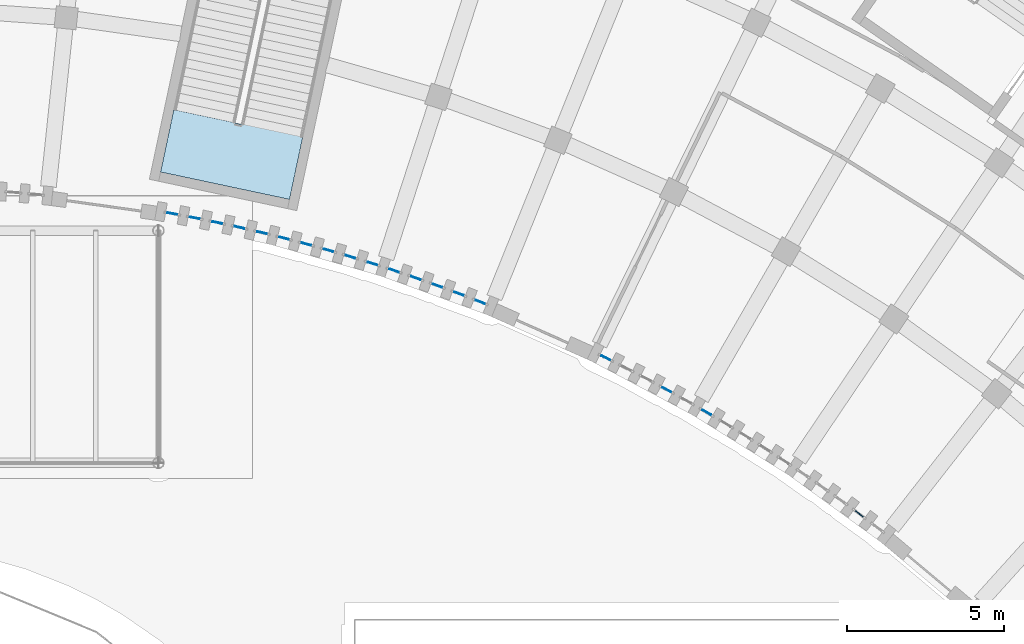
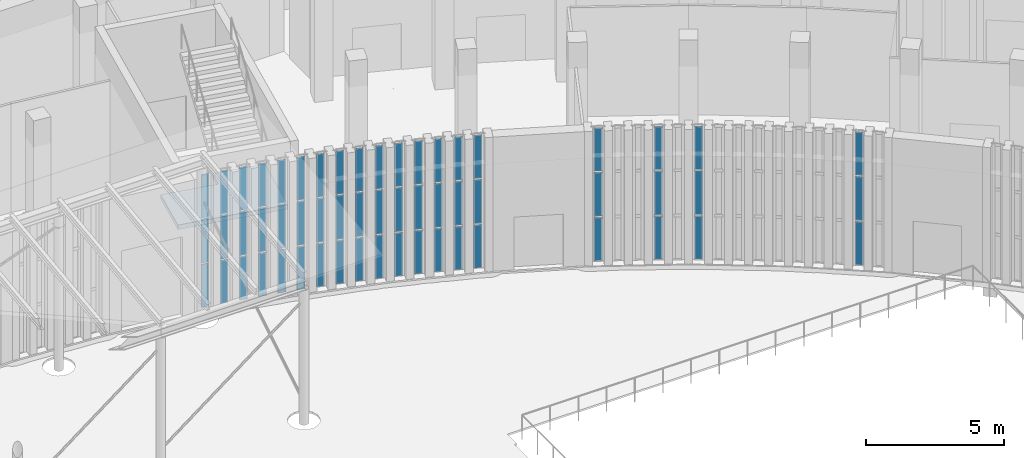
# One storey, part 80 of 155: 57 plates, 1 slab, 20 elements without a shape of their own.
"""IFC4 building model written with IfcOpenShell, lengths in metres."""

from ifc_helpers import new_model, si_unit, direction, frame, origin, origin_2d, place, context, subcontext, project, spatial, polyline, rectangle, outline, extrude, material, layer, layer_set, type_object, element, aggregate, save


model = new_model("IFC4")

# Units and contexts
model_context = context("Model", 3, precision=1e-05, world=origin(), true_north=direction((0.0, 1.0)))
body_context = subcontext(model_context, "Body", "Model", "MODEL_VIEW")
ifc_project = project(units=[si_unit("LENGTHUNIT", "METRE"), si_unit("AREAUNIT", "SQUARE_METRE"), si_unit("VOLUMEUNIT", "CUBIC_METRE"), si_unit("PLANEANGLEUNIT", "RADIAN"), si_unit("MASSUNIT", "GRAM", prefix="KILO")], contexts=[model_context])

# Site, building, storey
site_placement = place(None, origin())
site = spatial("IfcSite", under=ifc_project, at=site_placement, CompositionType="ELEMENT")
building_placement = place(site_placement, origin())
building = spatial("IfcBuilding", under=site, at=building_placement, Name="Lunette Opera House", CompositionType="ELEMENT")
storey_placement = place(building_placement, origin())
storey = spatial("IfcBuildingStorey", under=building, at=storey_placement, Name="L00", CompositionType="ELEMENT", Elevation=0.0)

# Curtain wall, plates
ifc_material_1 = material(Name="Aluminium", Category="aluminium")
ifc_layer_1 = layer(ifc_material_1, 0.1201171875)
ifc_layer_set_1 = layer_set([ifc_layer_1], Name="Aluminium")
curtain_wall_type = type_object("IfcCurtainWallType", Name="SLOT CURTAIN WALL", PredefinedType="NOTDEFINED", material=ifc_layer_set_1)
curtain_wall_1_placement = place(storey_placement, origin())
curtain_wall_1 = element("IfcCurtainWall", 1, at=curtain_wall_1_placement, inside=storey, type_object=curtain_wall_type, Name="Slot Curtain Wall CS046 L00", PredefinedType="NOTDEFINED")
ifc_material_2 = material(Name="Laminated glass", Category="glass")
ifc_layer_2 = layer(ifc_material_2, 0.028076171875)
ifc_layer_set_2 = layer_set([ifc_layer_2], Name="Laminated glass")
plate_type = type_object("IfcPlateType", Name="CURTAIN PANEL LAMINATED GLASS 28", PredefinedType="CURTAIN_PANEL", material=ifc_layer_set_2)
plate_1_placement = place(storey_placement, frame((105.44091796875, 51.4404296875, 0.06005859375), z_axis=(0.0, 0.0, 1.0), x_axis=(0.983907017475, -0.178681227225, 0.0)))
plate_1 = element("IfcPlate", 2, at=plate_1_placement, type_object=plate_type, Name="FC-X2091 panel 1.1", PredefinedType="CURTAIN_PANEL", context=body_context, shape_type="SweptSolid", body=[
    extrude(rectangle(XDim=0.31103515625, YDim=0.028076171875, at=origin_2d()), origin(), (0.0, 0.0, 1.0), 1.909912109375),
])
plate_2_placement = place(storey_placement, frame((105.44091796875, 51.4404296875, 2.030029296875), z_axis=(0.0, 0.0, 1.0), x_axis=(0.983907017475, -0.178681227225, 0.0)))
plate_2 = element("IfcPlate", 3, at=plate_2_placement, type_object=plate_type, Name="FC-X2091 panel 1.2", PredefinedType="CURTAIN_PANEL", context=body_context, shape_type="SweptSolid", body=[
    extrude(rectangle(XDim=0.31103515625, YDim=0.028076171875, at=origin_2d()), origin(), (0.0, 0.0, 1.0), 1.93994140625),
])
plate_3_placement = place(storey_placement, frame((105.44091796875, 51.4404296875, 4.0302734375), z_axis=(0.0, 0.0, 1.0), x_axis=(0.983907017475, -0.178681227225, 0.0)))
plate_3 = element("IfcPlate", 4, at=plate_3_placement, type_object=plate_type, Name="FC-X2091 panel 1.3", PredefinedType="CURTAIN_PANEL", context=body_context, shape_type="SweptSolid", body=[
    extrude(rectangle(XDim=0.31103515625, YDim=0.028076171875, at=origin_2d()), origin(), (0.0, 0.0, 1.0), 1.909912109375),
])
aggregate(curtain_wall_1, [plate_1, plate_2, plate_3])

curtain_wall_2_placement = place(storey_placement, origin())
curtain_wall_2 = element("IfcCurtainWall", 5, at=curtain_wall_2_placement, inside=storey, type_object=curtain_wall_type, Name="Slot Curtain Wall CS047 L00", PredefinedType="NOTDEFINED")
plate_4_placement = place(storey_placement, frame((106.157958984375, 51.303466796875, 0.06005859375), z_axis=(0.0, 0.0, 1.0), x_axis=(0.981201674814, -0.192985163529, 0.0)))
plate_4 = element("IfcPlate", 6, at=plate_4_placement, type_object=plate_type, Name="FC-X2093 panel 1.1", PredefinedType="CURTAIN_PANEL", context=body_context, shape_type="SweptSolid", body=[
    extrude(rectangle(XDim=0.31005859375, YDim=0.028076171875, at=origin_2d()), origin(), (0.0, 0.0, 1.0), 1.909912109375),
])
plate_5_placement = place(storey_placement, frame((106.157958984375, 51.303466796875, 2.030029296875), z_axis=(0.0, 0.0, 1.0), x_axis=(0.981201674814, -0.192985163529, 0.0)))
plate_5 = element("IfcPlate", 7, at=plate_5_placement, type_object=plate_type, Name="FC-X2093 panel 1.2", PredefinedType="CURTAIN_PANEL", context=body_context, shape_type="SweptSolid", body=[
    extrude(rectangle(XDim=0.31005859375, YDim=0.028076171875, at=origin_2d()), origin(), (0.0, 0.0, 1.0), 1.93994140625),
])
plate_6_placement = place(storey_placement, frame((106.157958984375, 51.303466796875, 4.0302734375), z_axis=(0.0, 0.0, 1.0), x_axis=(0.981201674814, -0.192985163529, 0.0)))
plate_6 = element("IfcPlate", 8, at=plate_6_placement, type_object=plate_type, Name="FC-X2093 panel 1.3", PredefinedType="CURTAIN_PANEL", context=body_context, shape_type="SweptSolid", body=[
    extrude(rectangle(XDim=0.31005859375, YDim=0.028076171875, at=origin_2d()), origin(), (0.0, 0.0, 1.0), 1.909912109375),
])
aggregate(curtain_wall_2, [plate_4, plate_5, plate_6])

curtain_wall_3_placement = place(storey_placement, origin())
curtain_wall_3 = element("IfcCurtainWall", 9, at=curtain_wall_3_placement, inside=storey, type_object=curtain_wall_type, Name="Slot Curtain Wall CS048 L00", PredefinedType="NOTDEFINED")
plate_7_placement = place(storey_placement, frame((106.87353515625, 51.156494140625, 0.06005859375), z_axis=(0.0, 0.0, 1.0), x_axis=(0.978376841558, -0.206830258672, 0.0)))
plate_7 = element("IfcPlate", 10, at=plate_7_placement, type_object=plate_type, Name="FC-X2095 panel 1.1", PredefinedType="CURTAIN_PANEL", context=body_context, shape_type="SweptSolid", body=[
    extrude(rectangle(XDim=0.310302734375, YDim=0.028076171875, at=origin_2d()), origin(), (0.0, 0.0, 1.0), 1.909912109375),
])
plate_8_placement = place(storey_placement, frame((106.87353515625, 51.156494140625, 2.030029296875), z_axis=(0.0, 0.0, 1.0), x_axis=(0.978376841558, -0.206830258672, 0.0)))
plate_8 = element("IfcPlate", 11, at=plate_8_placement, type_object=plate_type, Name="FC-X2095 panel 1.2", PredefinedType="CURTAIN_PANEL", context=body_context, shape_type="SweptSolid", body=[
    extrude(rectangle(XDim=0.310302734375, YDim=0.028076171875, at=origin_2d()), origin(), (0.0, 0.0, 1.0), 1.93994140625),
])
plate_9_placement = place(storey_placement, frame((106.87353515625, 51.156494140625, 4.0302734375), z_axis=(0.0, 0.0, 1.0), x_axis=(0.978376841558, -0.206830258672, 0.0)))
plate_9 = element("IfcPlate", 12, at=plate_9_placement, type_object=plate_type, Name="FC-X2095 panel 1.3", PredefinedType="CURTAIN_PANEL", context=body_context, shape_type="SweptSolid", body=[
    extrude(rectangle(XDim=0.310302734375, YDim=0.028076171875, at=origin_2d()), origin(), (0.0, 0.0, 1.0), 1.909912109375),
])
aggregate(curtain_wall_3, [plate_7, plate_8, plate_9])

curtain_wall_4_placement = place(storey_placement, origin())
curtain_wall_4 = element("IfcCurtainWall", 13, at=curtain_wall_4_placement, inside=storey, type_object=curtain_wall_type, Name="Slot Curtain Wall CS049 L00", PredefinedType="NOTDEFINED")
plate_10_placement = place(storey_placement, frame((107.5869140625, 51.0, 0.06005859375), z_axis=(0.0, 0.0, 1.0), x_axis=(0.97485850657, -0.222824801509, 0.0)))
plate_10 = element("IfcPlate", 14, at=plate_10_placement, type_object=plate_type, Name="FC-X2097 panel 1.1", PredefinedType="CURTAIN_PANEL", context=body_context, shape_type="SweptSolid", body=[
    extrude(rectangle(XDim=0.310791015625, YDim=0.028076171875, at=origin_2d()), origin(), (0.0, 0.0, 1.0), 1.909912109375),
])
plate_11_placement = place(storey_placement, frame((107.5869140625, 51.0, 2.030029296875), z_axis=(0.0, 0.0, 1.0), x_axis=(0.97485850657, -0.222824801509, 0.0)))
plate_11 = element("IfcPlate", 15, at=plate_11_placement, type_object=plate_type, Name="FC-X2097 panel 1.2", PredefinedType="CURTAIN_PANEL", context=body_context, shape_type="SweptSolid", body=[
    extrude(rectangle(XDim=0.310791015625, YDim=0.028076171875, at=origin_2d()), origin(), (0.0, 0.0, 1.0), 1.93994140625),
])
plate_12_placement = place(storey_placement, frame((107.5869140625, 51.0, 4.0302734375), z_axis=(0.0, 0.0, 1.0), x_axis=(0.97485850657, -0.222824801509, 0.0)))
plate_12 = element("IfcPlate", 16, at=plate_12_placement, type_object=plate_type, Name="FC-X2097 panel 1.3", PredefinedType="CURTAIN_PANEL", context=body_context, shape_type="SweptSolid", body=[
    extrude(rectangle(XDim=0.310791015625, YDim=0.028076171875, at=origin_2d()), origin(), (0.0, 0.0, 1.0), 1.909912109375),
])
aggregate(curtain_wall_4, [plate_10, plate_11, plate_12])

curtain_wall_5_placement = place(storey_placement, origin())
curtain_wall_5 = element("IfcCurtainWall", 17, at=curtain_wall_5_placement, inside=storey, type_object=curtain_wall_type, Name="Slot Curtain Wall CS050 L00", PredefinedType="NOTDEFINED")
plate_13_placement = place(storey_placement, frame((108.298095703125, 50.83349609375, 0.06005859375), z_axis=(0.0, 0.0, 1.0), x_axis=(0.972027312434, -0.234867843442, 0.0)))
plate_13 = element("IfcPlate", 18, at=plate_13_placement, type_object=plate_type, Name="FC-X2099 panel 1.1", PredefinedType="CURTAIN_PANEL", context=body_context, shape_type="SweptSolid", body=[
    extrude(rectangle(XDim=0.31005859375, YDim=0.028076171875, at=origin_2d()), origin(), (0.0, 0.0, 1.0), 1.909912109375),
])
plate_14_placement = place(storey_placement, frame((108.298095703125, 50.83349609375, 2.030029296875), z_axis=(0.0, 0.0, 1.0), x_axis=(0.972027312434, -0.234867843442, 0.0)))
plate_14 = element("IfcPlate", 19, at=plate_14_placement, type_object=plate_type, Name="FC-X2099 panel 1.2", PredefinedType="CURTAIN_PANEL", context=body_context, shape_type="SweptSolid", body=[
    extrude(rectangle(XDim=0.31005859375, YDim=0.028076171875, at=origin_2d()), origin(), (0.0, 0.0, 1.0), 1.93994140625),
])
plate_15_placement = place(storey_placement, frame((108.298095703125, 50.83349609375, 4.0302734375), z_axis=(0.0, 0.0, 1.0), x_axis=(0.972027312434, -0.234867843442, 0.0)))
plate_15 = element("IfcPlate", 20, at=plate_15_placement, type_object=plate_type, Name="FC-X2099 panel 1.3", PredefinedType="CURTAIN_PANEL", context=body_context, shape_type="SweptSolid", body=[
    extrude(rectangle(XDim=0.31005859375, YDim=0.028076171875, at=origin_2d()), origin(), (0.0, 0.0, 1.0), 1.909912109375),
])
aggregate(curtain_wall_5, [plate_13, plate_14, plate_15])

curtain_wall_6_placement = place(storey_placement, origin())
curtain_wall_6 = element("IfcCurtainWall", 21, at=curtain_wall_6_placement, inside=storey, type_object=curtain_wall_type, Name="Slot Curtain Wall CS051 L00", PredefinedType="NOTDEFINED")
plate_16_placement = place(storey_placement, frame((109.006591796875, 50.656494140625, 0.06005859375), z_axis=(0.0, 0.0, 1.0), x_axis=(0.968620862667, -0.248543003132, 0.0)))
plate_16 = element("IfcPlate", 22, at=plate_16_placement, type_object=plate_type, Name="FC-X2101 panel 1.1", PredefinedType="CURTAIN_PANEL", context=body_context, shape_type="SweptSolid", body=[
    extrude(rectangle(XDim=0.310546875, YDim=0.028076171875, at=origin_2d()), origin(), (0.0, 0.0, 1.0), 1.909912109375),
])
plate_17_placement = place(storey_placement, frame((109.006591796875, 50.656494140625, 2.030029296875), z_axis=(0.0, 0.0, 1.0), x_axis=(0.968620862667, -0.248543003132, 0.0)))
plate_17 = element("IfcPlate", 23, at=plate_17_placement, type_object=plate_type, Name="FC-X2101 panel 1.2", PredefinedType="CURTAIN_PANEL", context=body_context, shape_type="SweptSolid", body=[
    extrude(rectangle(XDim=0.310546875, YDim=0.028076171875, at=origin_2d()), origin(), (0.0, 0.0, 1.0), 1.93994140625),
])
plate_18_placement = place(storey_placement, frame((109.006591796875, 50.656494140625, 4.0302734375), z_axis=(0.0, 0.0, 1.0), x_axis=(0.968620862667, -0.248543003132, 0.0)))
plate_18 = element("IfcPlate", 24, at=plate_18_placement, type_object=plate_type, Name="FC-X2101 panel 1.3", PredefinedType="CURTAIN_PANEL", context=body_context, shape_type="SweptSolid", body=[
    extrude(rectangle(XDim=0.310546875, YDim=0.028076171875, at=origin_2d()), origin(), (0.0, 0.0, 1.0), 1.909912109375),
])
aggregate(curtain_wall_6, [plate_16, plate_17, plate_18])

curtain_wall_7_placement = place(storey_placement, origin())
curtain_wall_7 = element("IfcCurtainWall", 25, at=curtain_wall_7_placement, inside=storey, type_object=curtain_wall_type, Name="Slot Curtain Wall CS052 L00", PredefinedType="NOTDEFINED")
plate_19_placement = place(storey_placement, frame((109.71240234375, 50.469970703125, 0.06005859375), z_axis=(0.0, 0.0, 1.0), x_axis=(0.965458348983, -0.260557433934, 0.0)))
plate_19 = element("IfcPlate", 26, at=plate_19_placement, type_object=plate_type, Name="FC-X2103 panel 1.1", PredefinedType="CURTAIN_PANEL", context=body_context, shape_type="SweptSolid", body=[
    extrude(rectangle(XDim=0.309814453125, YDim=0.028076171875, at=origin_2d()), origin(), (0.0, 0.0, 1.0), 1.909912109375),
])
plate_20_placement = place(storey_placement, frame((109.71240234375, 50.469970703125, 2.030029296875), z_axis=(0.0, 0.0, 1.0), x_axis=(0.965458348983, -0.260557433934, 0.0)))
plate_20 = element("IfcPlate", 27, at=plate_20_placement, type_object=plate_type, Name="FC-X2103 panel 1.2", PredefinedType="CURTAIN_PANEL", context=body_context, shape_type="SweptSolid", body=[
    extrude(rectangle(XDim=0.309814453125, YDim=0.028076171875, at=origin_2d()), origin(), (0.0, 0.0, 1.0), 1.93994140625),
])
plate_21_placement = place(storey_placement, frame((109.71240234375, 50.469970703125, 4.0302734375), z_axis=(0.0, 0.0, 1.0), x_axis=(0.965458348983, -0.260557433934, 0.0)))
plate_21 = element("IfcPlate", 28, at=plate_21_placement, type_object=plate_type, Name="FC-X2103 panel 1.3", PredefinedType="CURTAIN_PANEL", context=body_context, shape_type="SweptSolid", body=[
    extrude(rectangle(XDim=0.309814453125, YDim=0.028076171875, at=origin_2d()), origin(), (0.0, 0.0, 1.0), 1.909912109375),
])
aggregate(curtain_wall_7, [plate_19, plate_20, plate_21])

curtain_wall_8_placement = place(storey_placement, origin())
curtain_wall_8 = element("IfcCurtainWall", 29, at=curtain_wall_8_placement, inside=storey, type_object=curtain_wall_type, Name="Slot Curtain Wall CS053 L00", PredefinedType="NOTDEFINED")
plate_22_placement = place(storey_placement, frame((110.416015625, 50.2734375, 0.06005859375), z_axis=(0.0, 0.0, 1.0), x_axis=(0.961084714065, -0.276253818781, 0.0)))
plate_22 = element("IfcPlate", 30, at=plate_22_placement, type_object=plate_type, Name="FC-X2105 panel 1.1", PredefinedType="CURTAIN_PANEL", context=body_context, shape_type="SweptSolid", body=[
    extrude(rectangle(XDim=0.310791015625, YDim=0.028076171875, at=origin_2d()), origin(), (0.0, 0.0, 1.0), 1.909912109375),
])
plate_23_placement = place(storey_placement, frame((110.416015625, 50.2734375, 2.030029296875), z_axis=(0.0, 0.0, 1.0), x_axis=(0.961084714065, -0.276253818781, 0.0)))
plate_23 = element("IfcPlate", 31, at=plate_23_placement, type_object=plate_type, Name="FC-X2105 panel 1.2", PredefinedType="CURTAIN_PANEL", context=body_context, shape_type="SweptSolid", body=[
    extrude(rectangle(XDim=0.310791015625, YDim=0.028076171875, at=origin_2d()), origin(), (0.0, 0.0, 1.0), 1.93994140625),
])
plate_24_placement = place(storey_placement, frame((110.416015625, 50.2734375, 4.0302734375), z_axis=(0.0, 0.0, 1.0), x_axis=(0.961084714065, -0.276253818781, 0.0)))
plate_24 = element("IfcPlate", 32, at=plate_24_placement, type_object=plate_type, Name="FC-X2105 panel 1.3", PredefinedType="CURTAIN_PANEL", context=body_context, shape_type="SweptSolid", body=[
    extrude(rectangle(XDim=0.310791015625, YDim=0.028076171875, at=origin_2d()), origin(), (0.0, 0.0, 1.0), 1.909912109375),
])
aggregate(curtain_wall_8, [plate_22, plate_23, plate_24])

curtain_wall_9_placement = place(storey_placement, origin())
curtain_wall_9 = element("IfcCurtainWall", 33, at=curtain_wall_9_placement, inside=storey, type_object=curtain_wall_type, Name="Slot Curtain Wall CS054 L00", PredefinedType="NOTDEFINED")
plate_25_placement = place(storey_placement, frame((111.115966796875, 50.0673828125, 0.06005859375), z_axis=(0.0, 0.0, 1.0), x_axis=(0.956926678266, -0.290329696075, 0.0)))
plate_25 = element("IfcPlate", 34, at=plate_25_placement, type_object=plate_type, Name="FC-X2107 panel 1.1", PredefinedType="CURTAIN_PANEL", context=body_context, shape_type="SweptSolid", body=[
    extrude(rectangle(XDim=0.310546875, YDim=0.028076171875, at=origin_2d()), origin(), (0.0, 0.0, 1.0), 1.909912109375),
])
plate_26_placement = place(storey_placement, frame((111.115966796875, 50.0673828125, 2.030029296875), z_axis=(0.0, 0.0, 1.0), x_axis=(0.956926678266, -0.290329696075, 0.0)))
plate_26 = element("IfcPlate", 35, at=plate_26_placement, type_object=plate_type, Name="FC-X2107 panel 1.2", PredefinedType="CURTAIN_PANEL", context=body_context, shape_type="SweptSolid", body=[
    extrude(rectangle(XDim=0.310546875, YDim=0.028076171875, at=origin_2d()), origin(), (0.0, 0.0, 1.0), 1.93994140625),
])
plate_27_placement = place(storey_placement, frame((111.115966796875, 50.0673828125, 4.0302734375), z_axis=(0.0, 0.0, 1.0), x_axis=(0.956926678266, -0.290329696075, 0.0)))
plate_27 = element("IfcPlate", 36, at=plate_27_placement, type_object=plate_type, Name="FC-X2107 panel 1.3", PredefinedType="CURTAIN_PANEL", context=body_context, shape_type="SweptSolid", body=[
    extrude(rectangle(XDim=0.310546875, YDim=0.028076171875, at=origin_2d()), origin(), (0.0, 0.0, 1.0), 1.909912109375),
])
aggregate(curtain_wall_9, [plate_25, plate_26, plate_27])

curtain_wall_10_placement = place(storey_placement, origin())
curtain_wall_10 = element("IfcCurtainWall", 37, at=curtain_wall_10_placement, inside=storey, type_object=curtain_wall_type, Name="Slot Curtain Wall CS055 L00", PredefinedType="NOTDEFINED")
plate_28_placement = place(storey_placement, frame((111.81396484375, 49.85107421875, 0.06005859375), z_axis=(0.0, 0.0, 1.0), x_axis=(0.9532306377, -0.302243860731, 0.0)))
plate_28 = element("IfcPlate", 38, at=plate_28_placement, type_object=plate_type, Name="FC-X2109 panel 1.1", PredefinedType="CURTAIN_PANEL", context=body_context, shape_type="SweptSolid", body=[
    extrude(rectangle(XDim=0.31005859375, YDim=0.028076171875, at=origin_2d()), origin(), (0.0, 0.0, 1.0), 1.909912109375),
])
plate_29_placement = place(storey_placement, frame((111.81396484375, 49.85107421875, 2.030029296875), z_axis=(0.0, 0.0, 1.0), x_axis=(0.9532306377, -0.302243860731, 0.0)))
plate_29 = element("IfcPlate", 39, at=plate_29_placement, type_object=plate_type, Name="FC-X2109 panel 1.2", PredefinedType="CURTAIN_PANEL", context=body_context, shape_type="SweptSolid", body=[
    extrude(rectangle(XDim=0.31005859375, YDim=0.028076171875, at=origin_2d()), origin(), (0.0, 0.0, 1.0), 1.93994140625),
])
plate_30_placement = place(storey_placement, frame((111.81396484375, 49.85107421875, 4.0302734375), z_axis=(0.0, 0.0, 1.0), x_axis=(0.9532306377, -0.302243860731, 0.0)))
plate_30 = element("IfcPlate", 40, at=plate_30_placement, type_object=plate_type, Name="FC-X2109 panel 1.3", PredefinedType="CURTAIN_PANEL", context=body_context, shape_type="SweptSolid", body=[
    extrude(rectangle(XDim=0.31005859375, YDim=0.028076171875, at=origin_2d()), origin(), (0.0, 0.0, 1.0), 1.909912109375),
])
aggregate(curtain_wall_10, [plate_28, plate_29, plate_30])

curtain_wall_11_placement = place(storey_placement, origin())
curtain_wall_11 = element("IfcCurtainWall", 41, at=curtain_wall_11_placement, inside=storey, type_object=curtain_wall_type, Name="Slot Curtain Wall CS056 L00", PredefinedType="NOTDEFINED")
plate_31_placement = place(storey_placement, frame((112.508056640625, 49.6259765625, 0.06005859375), z_axis=(0.0, 0.0, 1.0), x_axis=(0.94868329805, -0.316227766018, 0.0)))
plate_31 = element("IfcPlate", 42, at=plate_31_placement, type_object=plate_type, Name="FC-X2111 panel 1.1", PredefinedType="CURTAIN_PANEL", context=body_context, shape_type="SweptSolid", body=[
    extrude(rectangle(XDim=0.31005859375, YDim=0.028076171875, at=origin_2d()), origin(), (0.0, 0.0, 1.0), 1.909912109375),
])
plate_32_placement = place(storey_placement, frame((112.508056640625, 49.6259765625, 2.030029296875), z_axis=(0.0, 0.0, 1.0), x_axis=(0.94868329805, -0.316227766018, 0.0)))
plate_32 = element("IfcPlate", 43, at=plate_32_placement, type_object=plate_type, Name="FC-X2111 panel 1.2", PredefinedType="CURTAIN_PANEL", context=body_context, shape_type="SweptSolid", body=[
    extrude(rectangle(XDim=0.31005859375, YDim=0.028076171875, at=origin_2d()), origin(), (0.0, 0.0, 1.0), 1.93994140625),
])
plate_33_placement = place(storey_placement, frame((112.508056640625, 49.6259765625, 4.0302734375), z_axis=(0.0, 0.0, 1.0), x_axis=(0.94868329805, -0.316227766018, 0.0)))
plate_33 = element("IfcPlate", 44, at=plate_33_placement, type_object=plate_type, Name="FC-X2111 panel 1.3", PredefinedType="CURTAIN_PANEL", context=body_context, shape_type="SweptSolid", body=[
    extrude(rectangle(XDim=0.31005859375, YDim=0.028076171875, at=origin_2d()), origin(), (0.0, 0.0, 1.0), 1.909912109375),
])
aggregate(curtain_wall_11, [plate_31, plate_32, plate_33])

curtain_wall_12_placement = place(storey_placement, origin())
curtain_wall_12 = element("IfcCurtainWall", 45, at=curtain_wall_12_placement, inside=storey, type_object=curtain_wall_type, Name="Slot Curtain Wall CS057 L00", PredefinedType="NOTDEFINED")
plate_34_placement = place(storey_placement, frame((113.199462890625, 49.390380859375, 0.06005859375), z_axis=(0.0, 0.0, 1.0), x_axis=(0.944903237351, -0.327349770191, 0.0)))
plate_34 = element("IfcPlate", 46, at=plate_34_placement, type_object=plate_type, Name="FC-X2113 panel 1.1", PredefinedType="CURTAIN_PANEL", context=body_context, shape_type="SweptSolid", body=[
    extrude(rectangle(XDim=0.310791015625, YDim=0.028076171875, at=origin_2d()), origin(), (0.0, 0.0, 1.0), 1.909912109375),
])
plate_35_placement = place(storey_placement, frame((113.199462890625, 49.390380859375, 2.030029296875), z_axis=(0.0, 0.0, 1.0), x_axis=(0.944903237351, -0.327349770191, 0.0)))
plate_35 = element("IfcPlate", 47, at=plate_35_placement, type_object=plate_type, Name="FC-X2113 panel 1.2", PredefinedType="CURTAIN_PANEL", context=body_context, shape_type="SweptSolid", body=[
    extrude(rectangle(XDim=0.310791015625, YDim=0.028076171875, at=origin_2d()), origin(), (0.0, 0.0, 1.0), 1.93994140625),
])
plate_36_placement = place(storey_placement, frame((113.199462890625, 49.390380859375, 4.0302734375), z_axis=(0.0, 0.0, 1.0), x_axis=(0.944903237351, -0.327349770191, 0.0)))
plate_36 = element("IfcPlate", 48, at=plate_36_placement, type_object=plate_type, Name="FC-X2113 panel 1.3", PredefinedType="CURTAIN_PANEL", context=body_context, shape_type="SweptSolid", body=[
    extrude(rectangle(XDim=0.310791015625, YDim=0.028076171875, at=origin_2d()), origin(), (0.0, 0.0, 1.0), 1.909912109375),
])
aggregate(curtain_wall_12, [plate_34, plate_35, plate_36])

curtain_wall_13_placement = place(storey_placement, origin())
curtain_wall_13 = element("IfcCurtainWall", 49, at=curtain_wall_13_placement, inside=storey, type_object=curtain_wall_type, Name="Slot Curtain Wall CS058 L00", PredefinedType="NOTDEFINED")
plate_37_placement = place(storey_placement, frame((113.887451171875, 49.1455078125, 0.06005859375), z_axis=(0.0, 0.0, 1.0), x_axis=(0.939996554639, -0.341183934655, 0.0)))
plate_37 = element("IfcPlate", 50, at=plate_37_placement, type_object=plate_type, Name="FC-X2115 panel 1.1", PredefinedType="CURTAIN_PANEL", context=body_context, shape_type="SweptSolid", body=[
    extrude(rectangle(XDim=0.310791015625, YDim=0.028076171875, at=origin_2d()), origin(), (0.0, 0.0, 1.0), 1.909912109375),
])
plate_38_placement = place(storey_placement, frame((113.887451171875, 49.1455078125, 2.030029296875), z_axis=(0.0, 0.0, 1.0), x_axis=(0.939996554639, -0.341183934655, 0.0)))
plate_38 = element("IfcPlate", 51, at=plate_38_placement, type_object=plate_type, Name="FC-X2115 panel 1.2", PredefinedType="CURTAIN_PANEL", context=body_context, shape_type="SweptSolid", body=[
    extrude(rectangle(XDim=0.310791015625, YDim=0.028076171875, at=origin_2d()), origin(), (0.0, 0.0, 1.0), 1.93994140625),
])
plate_39_placement = place(storey_placement, frame((113.887451171875, 49.1455078125, 4.0302734375), z_axis=(0.0, 0.0, 1.0), x_axis=(0.939996554639, -0.341183934655, 0.0)))
plate_39 = element("IfcPlate", 52, at=plate_39_placement, type_object=plate_type, Name="FC-X2115 panel 1.3", PredefinedType="CURTAIN_PANEL", context=body_context, shape_type="SweptSolid", body=[
    extrude(rectangle(XDim=0.310791015625, YDim=0.028076171875, at=origin_2d()), origin(), (0.0, 0.0, 1.0), 1.909912109375),
])
aggregate(curtain_wall_13, [plate_37, plate_38, plate_39])

curtain_wall_14_placement = place(storey_placement, origin())
curtain_wall_14 = element("IfcCurtainWall", 53, at=curtain_wall_14_placement, inside=storey, type_object=curtain_wall_type, Name="Slot Curtain Wall CS059 L00", PredefinedType="NOTDEFINED")
plate_40_placement = place(storey_placement, frame((114.572021484375, 48.89111328125, 0.06005859375), z_axis=(0.0, 0.0, 1.0), x_axis=(0.935369490502, -0.353672046164, 0.0)))
plate_40 = element("IfcPlate", 54, at=plate_40_placement, type_object=plate_type, Name="FC-X2117 panel 1.1", PredefinedType="CURTAIN_PANEL", context=body_context, shape_type="SweptSolid", body=[
    extrude(rectangle(XDim=0.309814453125, YDim=0.028076171875, at=origin_2d()), origin(), (0.0, 0.0, 1.0), 1.909912109375),
])
plate_41_placement = place(storey_placement, frame((114.572021484375, 48.89111328125, 2.030029296875), z_axis=(0.0, 0.0, 1.0), x_axis=(0.935369490502, -0.353672046164, 0.0)))
plate_41 = element("IfcPlate", 55, at=plate_41_placement, type_object=plate_type, Name="FC-X2117 panel 1.2", PredefinedType="CURTAIN_PANEL", context=body_context, shape_type="SweptSolid", body=[
    extrude(rectangle(XDim=0.309814453125, YDim=0.028076171875, at=origin_2d()), origin(), (0.0, 0.0, 1.0), 1.93994140625),
])
plate_42_placement = place(storey_placement, frame((114.572021484375, 48.89111328125, 4.0302734375), z_axis=(0.0, 0.0, 1.0), x_axis=(0.935369490502, -0.353672046164, 0.0)))
plate_42 = element("IfcPlate", 56, at=plate_42_placement, type_object=plate_type, Name="FC-X2117 panel 1.3", PredefinedType="CURTAIN_PANEL", context=body_context, shape_type="SweptSolid", body=[
    extrude(rectangle(XDim=0.309814453125, YDim=0.028076171875, at=origin_2d()), origin(), (0.0, 0.0, 1.0), 1.909912109375),
])
aggregate(curtain_wall_14, [plate_40, plate_41, plate_42])

curtain_wall_15_placement = place(storey_placement, origin())
curtain_wall_15 = element("IfcCurtainWall", 57, at=curtain_wall_15_placement, inside=storey, type_object=curtain_wall_type, Name="Slot Curtain Wall CS060 L00", PredefinedType="NOTDEFINED")
plate_43_placement = place(storey_placement, frame((115.2529296875, 48.626953125, 0.06005859375), z_axis=(0.0, 0.0, 1.0), x_axis=(0.93007160781, -0.367378285076, 0.0)))
plate_43 = element("IfcPlate", 58, at=plate_43_placement, type_object=plate_type, Name="FC-X2119 panel 1.1", PredefinedType="CURTAIN_PANEL", context=body_context, shape_type="SweptSolid", body=[
    extrude(rectangle(XDim=0.31005859375, YDim=0.028076171875, at=origin_2d()), origin(), (0.0, 0.0, 1.0), 1.909912109375),
])
plate_44_placement = place(storey_placement, frame((115.2529296875, 48.626953125, 2.030029296875), z_axis=(0.0, 0.0, 1.0), x_axis=(0.93007160781, -0.367378285076, 0.0)))
plate_44 = element("IfcPlate", 59, at=plate_44_placement, type_object=plate_type, Name="FC-X2119 panel 1.2", PredefinedType="CURTAIN_PANEL", context=body_context, shape_type="SweptSolid", body=[
    extrude(rectangle(XDim=0.31005859375, YDim=0.028076171875, at=origin_2d()), origin(), (0.0, 0.0, 1.0), 1.93994140625),
])
plate_45_placement = place(storey_placement, frame((115.2529296875, 48.626953125, 4.0302734375), z_axis=(0.0, 0.0, 1.0), x_axis=(0.93007160781, -0.367378285076, 0.0)))
plate_45 = element("IfcPlate", 60, at=plate_45_placement, type_object=plate_type, Name="FC-X2119 panel 1.3", PredefinedType="CURTAIN_PANEL", context=body_context, shape_type="SweptSolid", body=[
    extrude(rectangle(XDim=0.31005859375, YDim=0.028076171875, at=origin_2d()), origin(), (0.0, 0.0, 1.0), 1.909912109375),
])
aggregate(curtain_wall_15, [plate_43, plate_44, plate_45])

curtain_wall_16_placement = place(storey_placement, origin())
curtain_wall_16 = element("IfcCurtainWall", 61, at=curtain_wall_16_placement, inside=storey, type_object=curtain_wall_type, Name="Slot Curtain Wall CS061 L00", PredefinedType="NOTDEFINED")
plate_46_placement = place(storey_placement, frame((119.25439453125, 46.845458984375, 0.06005859375), z_axis=(0.0, 0.0, 1.0), x_axis=(0.895818914219, -0.444419253552, 0.0)))
plate_46 = element("IfcPlate", 62, at=plate_46_placement, type_object=plate_type, Name="FC-X2121 panel 1.1", PredefinedType="CURTAIN_PANEL", context=body_context, shape_type="SweptSolid", body=[
    extrude(rectangle(XDim=0.309814453125, YDim=0.028076171875, at=origin_2d()), origin(), (0.0, 0.0, 1.0), 1.909912109375),
])
plate_47_placement = place(storey_placement, frame((119.25439453125, 46.845458984375, 2.030029296875), z_axis=(0.0, 0.0, 1.0), x_axis=(0.895818914219, -0.444419253552, 0.0)))
plate_47 = element("IfcPlate", 63, at=plate_47_placement, type_object=plate_type, Name="FC-X2121 panel 1.2", PredefinedType="CURTAIN_PANEL", context=body_context, shape_type="SweptSolid", body=[
    extrude(rectangle(XDim=0.309814453125, YDim=0.028076171875, at=origin_2d()), origin(), (0.0, 0.0, 1.0), 1.93994140625),
])
plate_48_placement = place(storey_placement, frame((119.25439453125, 46.845458984375, 4.0302734375), z_axis=(0.0, 0.0, 1.0), x_axis=(0.895818914219, -0.444419253552, 0.0)))
plate_48 = element("IfcPlate", 64, at=plate_48_placement, type_object=plate_type, Name="FC-X2121 panel 1.3", PredefinedType="CURTAIN_PANEL", context=body_context, shape_type="SweptSolid", body=[
    extrude(rectangle(XDim=0.309814453125, YDim=0.028076171875, at=origin_2d()), origin(), (0.0, 0.0, 1.0), 1.909912109375),
])
aggregate(curtain_wall_16, [plate_46, plate_47, plate_48])

curtain_wall_17_placement = place(storey_placement, origin())
curtain_wall_17 = element("IfcCurtainWall", 65, at=curtain_wall_17_placement, inside=storey, type_object=curtain_wall_type, Name="Slot Curtain Wall CS064 L00", PredefinedType="NOTDEFINED")
plate_49_placement = place(storey_placement, frame((121.195556640625, 45.83056640625, 0.06005859375), z_axis=(0.0, 0.0, 1.0), x_axis=(0.876559317425, -0.481293842715, 0.0)))
plate_49 = element("IfcPlate", 66, at=plate_49_placement, type_object=plate_type, Name="FC-X2127 panel 1.1", PredefinedType="CURTAIN_PANEL", context=body_context, shape_type="SweptSolid", body=[
    extrude(rectangle(XDim=0.31005859375, YDim=0.028076171875, at=origin_2d()), origin(), (0.0, 0.0, 1.0), 1.909912109375),
])
plate_50_placement = place(storey_placement, frame((121.195556640625, 45.83056640625, 2.030029296875), z_axis=(0.0, 0.0, 1.0), x_axis=(0.876559317425, -0.481293842715, 0.0)))
plate_50 = element("IfcPlate", 67, at=plate_50_placement, type_object=plate_type, Name="FC-X2127 panel 1.2", PredefinedType="CURTAIN_PANEL", context=body_context, shape_type="SweptSolid", body=[
    extrude(rectangle(XDim=0.31005859375, YDim=0.028076171875, at=origin_2d()), origin(), (0.0, 0.0, 1.0), 1.93994140625),
])
plate_51_placement = place(storey_placement, frame((121.195556640625, 45.83056640625, 4.0302734375), z_axis=(0.0, 0.0, 1.0), x_axis=(0.876559317425, -0.481293842715, 0.0)))
plate_51 = element("IfcPlate", 68, at=plate_51_placement, type_object=plate_type, Name="FC-X2127 panel 1.3", PredefinedType="CURTAIN_PANEL", context=body_context, shape_type="SweptSolid", body=[
    extrude(rectangle(XDim=0.31005859375, YDim=0.028076171875, at=origin_2d()), origin(), (0.0, 0.0, 1.0), 1.909912109375),
])
aggregate(curtain_wall_17, [plate_49, plate_50, plate_51])

curtain_wall_18_placement = place(storey_placement, origin())
curtain_wall_18 = element("IfcCurtainWall", 69, at=curtain_wall_18_placement, inside=storey, type_object=curtain_wall_type, Name="Slot Curtain Wall CS066 L00", PredefinedType="NOTDEFINED")
plate_52_placement = place(storey_placement, frame((122.465576171875, 45.10888671875, 0.06005859375), z_axis=(0.0, 0.0, 1.0), x_axis=(0.862173082583, -0.506613832884, 0.0)))
plate_52 = element("IfcPlate", 70, at=plate_52_placement, type_object=plate_type, Name="FC-X2131 panel 1.1", PredefinedType="CURTAIN_PANEL", context=body_context, shape_type="SweptSolid", body=[
    extrude(rectangle(XDim=0.310302734375, YDim=0.028076171875, at=origin_2d()), origin(), (0.0, 0.0, 1.0), 1.909912109375),
])
plate_53_placement = place(storey_placement, frame((122.465576171875, 45.10888671875, 2.030029296875), z_axis=(0.0, 0.0, 1.0), x_axis=(0.862173082583, -0.506613832884, 0.0)))
plate_53 = element("IfcPlate", 71, at=plate_53_placement, type_object=plate_type, Name="FC-X2131 panel 1.2", PredefinedType="CURTAIN_PANEL", context=body_context, shape_type="SweptSolid", body=[
    extrude(rectangle(XDim=0.310302734375, YDim=0.028076171875, at=origin_2d()), origin(), (0.0, 0.0, 1.0), 1.93994140625),
])
plate_54_placement = place(storey_placement, frame((122.465576171875, 45.10888671875, 4.0302734375), z_axis=(0.0, 0.0, 1.0), x_axis=(0.862173082583, -0.506613832884, 0.0)))
plate_54 = element("IfcPlate", 72, at=plate_54_placement, type_object=plate_type, Name="FC-X2131 panel 1.3", PredefinedType="CURTAIN_PANEL", context=body_context, shape_type="SweptSolid", body=[
    extrude(rectangle(XDim=0.310302734375, YDim=0.028076171875, at=origin_2d()), origin(), (0.0, 0.0, 1.0), 1.909912109375),
])
aggregate(curtain_wall_18, [plate_52, plate_53, plate_54])

curtain_wall_19_placement = place(storey_placement, origin())
curtain_wall_19 = element("IfcCurtainWall", 73, at=curtain_wall_19_placement, inside=storey, type_object=curtain_wall_type, Name="Slot Curtain Wall CS074 L00", PredefinedType="NOTDEFINED")
plate_55_placement = place(storey_placement, frame((127.32861328125, 41.8779296875, 0.06005859375), z_axis=(0.0, 0.0, 1.0), x_axis=(0.800834877873, -0.598885213026, 0.0)))
plate_55 = element("IfcPlate", 74, at=plate_55_placement, type_object=plate_type, Name="FC-X2147 panel 1.1", PredefinedType="CURTAIN_PANEL", context=body_context, shape_type="SweptSolid", body=[
    extrude(rectangle(XDim=0.310791015625, YDim=0.028076171875, at=origin_2d()), origin(), (0.0, 0.0, 1.0), 1.909912109375),
])
plate_56_placement = place(storey_placement, frame((127.32861328125, 41.8779296875, 2.030029296875), z_axis=(0.0, 0.0, 1.0), x_axis=(0.800834877873, -0.598885213026, 0.0)))
plate_56 = element("IfcPlate", 75, at=plate_56_placement, type_object=plate_type, Name="FC-X2147 panel 1.2", PredefinedType="CURTAIN_PANEL", context=body_context, shape_type="SweptSolid", body=[
    extrude(rectangle(XDim=0.310791015625, YDim=0.028076171875, at=origin_2d()), origin(), (0.0, 0.0, 1.0), 1.93994140625),
])
plate_57_placement = place(storey_placement, frame((127.32861328125, 41.8779296875, 4.0302734375), z_axis=(0.0, 0.0, 1.0), x_axis=(0.800834877873, -0.598885213026, 0.0)))
plate_57 = element("IfcPlate", 76, at=plate_57_placement, type_object=plate_type, Name="FC-X2147 panel 1.3", PredefinedType="CURTAIN_PANEL", context=body_context, shape_type="SweptSolid", body=[
    extrude(rectangle(XDim=0.310791015625, YDim=0.028076171875, at=origin_2d()), origin(), (0.0, 0.0, 1.0), 1.909912109375),
])
aggregate(curtain_wall_19, [plate_55, plate_56, plate_57])

# Stair, slab
ifc_material_3 = material(Name="Concrete C35/45", Category="concrete")
stair_type = type_object("IfcStairType", Name="DOGLEG STAIR 2000", PredefinedType="HALF_TURN_STAIR", material=ifc_material_3)
stair_placement = place(storey_placement, origin())
stair = element("IfcStair", 77, at=stair_placement, inside=storey, type_object=stair_type, Name="L00 stair GS2", PredefinedType="HALF_TURN_STAIR")
ifc_material_4 = material(Name="Concrete C35/45", Category="concrete")
ifc_layer_3 = layer(ifc_material_4, 0.199951171875)
ifc_layer_set_3 = layer_set([ifc_layer_3], Name="Concrete C35/45")
slab_type = type_object("IfcSlabType", Name="STAIR LANDING SLAB 200", PredefinedType="LANDING", material=ifc_layer_set_3)
slab_placement = place(storey_placement, frame((0.0, 0.0, 2.800048828125)))
slab = element("IfcSlab", 78, at=slab_placement, type_object=slab_type, Name="GS2 landing 1", PredefinedType="LANDING", context=body_context, shape_type="SweptSolid", body=[
    extrude(outline(polyline([(105.069091796875, 52.76708984375), (105.490966796875, 54.75390625), (107.447021484375, 54.337890625), (107.445068359375, 54.327880859375), (107.64111328125, 54.285888671875), (107.785888671875, 54.970947265625), (109.742919921875, 54.554931640625), (109.177001953125, 51.89404296875), (105.069091796875, 52.76708984375)])), origin(), (0.0, 0.0, 1.0), 0.199951171875),
])
aggregate(stair, [slab])

save(model, "model.ifc")
